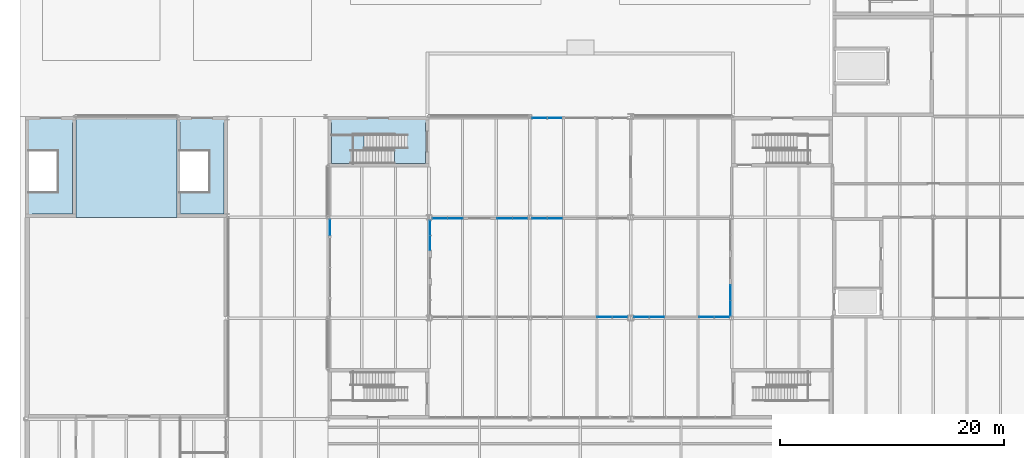
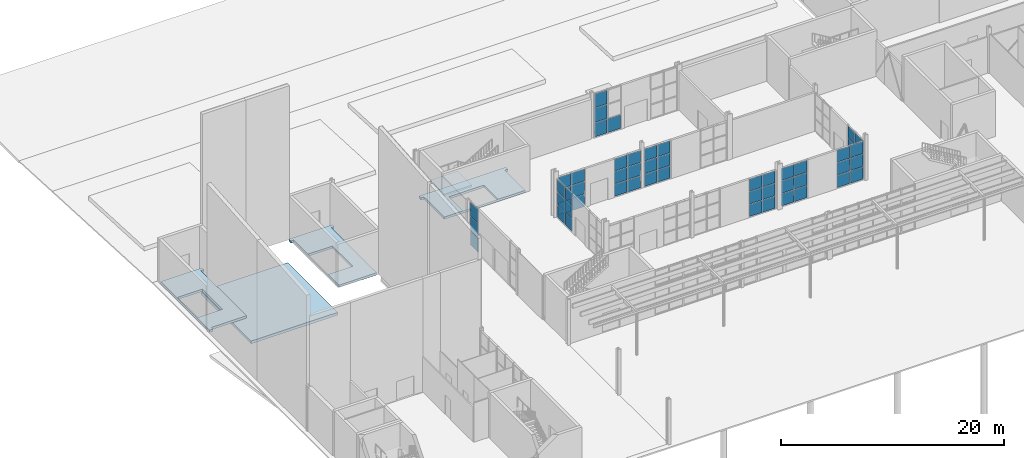
# One storey, part 31 of 63: 55 plates, 5 slabs, 11 elements without a shape of their own.
"""IFC4 building model written with IfcOpenShell, lengths in metres."""

from ifc_helpers import new_model, si_unit, direction, frame, origin, origin_2d, place, context, subcontext, project, spatial, polyline, rectangle, outline, extrude, material, layer, layer_set, type_object, element, aggregate, save


model = new_model("IFC4")

# Units and contexts
model_context = context("Model", 3, precision=1e-05, world=origin(), true_north=direction((0.0, 1.0)))
body_context = subcontext(model_context, "Body", "Model", "MODEL_VIEW")
ifc_project = project(units=[si_unit("LENGTHUNIT", "METRE"), si_unit("AREAUNIT", "SQUARE_METRE"), si_unit("VOLUMEUNIT", "CUBIC_METRE"), si_unit("PLANEANGLEUNIT", "RADIAN"), si_unit("MASSUNIT", "GRAM", prefix="KILO")], contexts=[model_context])

# Site, building, storey
site_placement = place(None, origin())
site = spatial("IfcSite", under=ifc_project, at=site_placement, CompositionType="ELEMENT")
building_placement = place(site_placement, origin())
building = spatial("IfcBuilding", under=site, at=building_placement, Name="Halyard Row Museum", CompositionType="ELEMENT")
storey_placement = place(building_placement, origin())
storey = spatial("IfcBuildingStorey", under=building, at=storey_placement, Name="L00", CompositionType="ELEMENT", Elevation=0.0)

# Slabs
ifc_material_1 = material(Name="Concrete 40 MPa", Category="concrete")
ifc_layer_1 = layer(ifc_material_1, 0.25)
ifc_layer_set_1 = layer_set([ifc_layer_1], Name="Concrete 40 MPa")
slab_type_1 = type_object("IfcSlabType", Name="Core floor slab 250", PredefinedType="FLOOR", material=ifc_layer_set_1)
slab_1_placement = place(storey_placement, frame((0.0, 0.0, -0.25)))
element("IfcSlab", 1, at=slab_1_placement, inside=storey, type_object=slab_type_1, Name="Core floor K1A L00", PredefinedType="FLOOR", context=body_context, shape_type="SweptSolid", body=[
    extrude(outline(polyline([(27.300048828125, 40.800048828125), (35.699951171875, 40.800048828125), (35.699951171875, 44.449951171875), (35.9951171875, 44.449951171875), (35.9951171875, 44.800048828125), (27.0048828125, 44.800048828125), (27.0048828125, 44.449951171875), (27.300048828125, 44.449951171875), (27.300048828125, 40.800048828125)]), holes=[polyline([(32.89697265625, 40.802978515625), (29.262939453125, 40.802978515625), (29.262939453125, 43.346923828125), (32.89697265625, 43.346923828125), (32.89697265625, 40.802978515625)])]), origin(), (0.0, 0.0, 1.0), 0.25),
])
slab_2_placement = place(storey_placement, frame((0.0, 0.0, -0.25)))
element("IfcSlab", 2, at=slab_2_placement, inside=storey, type_object=slab_type_1, Name="Core floor K3N L00", PredefinedType="FLOOR", context=body_context, shape_type="SweptSolid", body=[
    extrude(outline(polyline([(13.800048828125, 36.300048828125), (17.699951171875, 36.300048828125), (17.699951171875, 44.449951171875), (18.0, 44.449951171875), (18.0, 44.800048828125), (13.5, 44.800048828125), (13.5, 44.449951171875), (13.800048828125, 44.449951171875), (13.800048828125, 36.300048828125)]), holes=[polyline([(16.346923828125, 38.262939453125), (13.802978515625, 38.262939453125), (13.802978515625, 41.89697265625), (16.346923828125, 41.89697265625), (16.346923828125, 38.262939453125)])]), origin(), (0.0, 0.0, 1.0), 0.25),
])
slab_3_placement = place(storey_placement, frame((0.0, 0.0, -0.25)))
element("IfcSlab", 3, at=slab_3_placement, inside=storey, type_object=slab_type_1, Name="Core floor K3W L00", PredefinedType="FLOOR", context=body_context, shape_type="SweptSolid", body=[
    extrude(outline(polyline([(0.199951171875, 36.0), (0.550048828125, 36.0), (0.550048828125, 36.300048828125), (4.199951171875, 36.300048828125), (4.199951171875, 44.449951171875), (4.5, 44.449951171875), (4.5, 44.800048828125), (0.199951171875, 44.800048828125), (0.199951171875, 36.0)]), holes=[polyline([(2.846923828125, 38.262939453125), (0.302978515625, 38.262939453125), (0.302978515625, 41.89697265625), (2.846923828125, 41.89697265625), (2.846923828125, 38.262939453125)])]), origin(), (0.0, 0.0, 1.0), 0.25),
])

# Curtain wall, plates
ifc_material_2 = material(Name="Double glazed unit, low-emissivity", Category="glass")
ifc_layer_2 = layer(ifc_material_2, 0.199951171875)
ifc_layer_set_2 = layer_set([ifc_layer_2], Name="Double glazed unit, low-emissivity")
curtain_wall_type_1 = type_object("IfcCurtainWallType", Name="Curtain wall shopfront 200 deep", PredefinedType="NOTDEFINED", material=ifc_layer_set_2)
curtain_wall_1_placement = place(storey_placement, origin())
curtain_wall_1 = element("IfcCurtainWall", 4, at=curtain_wall_1_placement, inside=storey, type_object=curtain_wall_type_1, Name="Curtain wall CW010", PredefinedType="NOTDEFINED")
ifc_material_3 = material(Name="Double glazed unit, low-emissivity", Category="glass")
ifc_layer_3 = layer(ifc_material_3, 0.031982421875)
ifc_layer_set_3 = layer_set([ifc_layer_3], Name="Double glazed unit, low-emissivity")
plate_type_1 = type_object("IfcPlateType", Name="Curtain wall glazed panel CP1 32", PredefinedType="CURTAIN_PANEL", material=ifc_layer_set_3)
plate_1_placement = place(storey_placement, frame((47.233642578125, 44.85009765625, 0.06494140625), z_axis=(0.0, 0.0, 1.0), x_axis=(-1.0, 0.0, 0.0)))
plate_1 = element("IfcPlate", 5, at=plate_1_placement, type_object=plate_type_1, Name="CW010 panel 1.1", PredefinedType="CURTAIN_PANEL", context=body_context, shape_type="SweptSolid", body=[
    extrude(rectangle(XDim=1.302490234375, YDim=0.031982421875, at=origin_2d()), origin(), (0.0, 0.0, 1.0), 1.51416015625),
])
plate_2_placement = place(storey_placement, frame((45.8662109375, 44.85009765625, 0.06494140625), z_axis=(0.0, 0.0, 1.0), x_axis=(-1.0, 0.0, 0.0)))
plate_2 = element("IfcPlate", 6, at=plate_2_placement, type_object=plate_type_1, Name="CW010 panel 2.1", PredefinedType="CURTAIN_PANEL", context=body_context, shape_type="SweptSolid", body=[
    extrude(rectangle(XDim=1.302490234375, YDim=0.031982421875, at=origin_2d()), origin(), (0.0, 0.0, 1.0), 1.51416015625),
])
plate_3_placement = place(storey_placement, frame((45.8662109375, 44.85009765625, 1.64404296875), z_axis=(0.0, 0.0, 1.0), x_axis=(-1.0, 0.0, 0.0)))
plate_3 = element("IfcPlate", 7, at=plate_3_placement, type_object=plate_type_1, Name="CW010 panel 2.2", PredefinedType="CURTAIN_PANEL", context=body_context, shape_type="SweptSolid", body=[
    extrude(rectangle(XDim=1.302490234375, YDim=0.031982421875, at=origin_2d()), origin(), (0.0, 0.0, 1.0), 1.546630859375),
])
plate_4_placement = place(storey_placement, frame((45.8662109375, 44.85009765625, 3.255859375), z_axis=(0.0, 0.0, 1.0), x_axis=(-1.0, 0.0, 0.0)))
plate_4 = element("IfcPlate", 8, at=plate_4_placement, type_object=plate_type_1, Name="CW010 panel 2.3", PredefinedType="CURTAIN_PANEL", context=body_context, shape_type="SweptSolid", body=[
    extrude(rectangle(XDim=1.302490234375, YDim=0.031982421875, at=origin_2d()), origin(), (0.0, 0.0, 1.0), 1.51416015625),
])
aggregate(curtain_wall_1, [plate_1, plate_2, plate_3, plate_4])

curtain_wall_2_placement = place(storey_placement, origin())
curtain_wall_2 = element("IfcCurtainWall", 9, at=curtain_wall_2_placement, inside=storey, type_object=curtain_wall_type_1, Name="Curtain wall CW011", PredefinedType="NOTDEFINED")
plate_5_placement = place(storey_placement, frame((27.14990234375, 35.10009765625, 0.06494140625), z_axis=(0.0, 0.0, 1.0), x_axis=(0.0, -1.0, 0.0)))
plate_5 = element("IfcPlate", 10, at=plate_5_placement, type_object=plate_type_1, Name="CW011 panel 1.1", PredefinedType="CURTAIN_PANEL", context=body_context, shape_type="SweptSolid", body=[
    extrude(rectangle(XDim=1.3701171875, YDim=0.031982421875, at=origin_2d()), origin(), (0.0, 0.0, 1.0), 1.51416015625),
])
plate_6_placement = place(storey_placement, frame((27.14990234375, 35.10009765625, 1.64404296875), z_axis=(0.0, 0.0, 1.0), x_axis=(0.0, -1.0, 0.0)))
plate_6 = element("IfcPlate", 11, at=plate_6_placement, type_object=plate_type_1, Name="CW011 panel 1.2", PredefinedType="CURTAIN_PANEL", context=body_context, shape_type="SweptSolid", body=[
    extrude(rectangle(XDim=1.3701171875, YDim=0.031982421875, at=origin_2d()), origin(), (0.0, 0.0, 1.0), 1.546630859375),
])
plate_7_placement = place(storey_placement, frame((27.14990234375, 35.10009765625, 3.255859375), z_axis=(0.0, 0.0, 1.0), x_axis=(0.0, -1.0, 0.0)))
plate_7 = element("IfcPlate", 12, at=plate_7_placement, type_object=plate_type_1, Name="CW011 panel 1.3", PredefinedType="CURTAIN_PANEL", context=body_context, shape_type="SweptSolid", body=[
    extrude(rectangle(XDim=1.3701171875, YDim=0.031982421875, at=origin_2d()), origin(), (0.0, 0.0, 1.0), 1.51416015625),
])
aggregate(curtain_wall_2, [plate_5, plate_6, plate_7])

ifc_material_4 = material(Name="Double glazed unit, low-emissivity", Category="glass")
ifc_layer_4 = layer(ifc_material_4, 0.179931640625)
ifc_layer_set_4 = layer_set([ifc_layer_4], Name="Double glazed unit, low-emissivity")
curtain_wall_type_2 = type_object("IfcCurtainWallType", Name="Curtain wall stick 180 deep", PredefinedType="NOTDEFINED", material=ifc_layer_set_4)
curtain_wall_3_placement = place(storey_placement, origin())
curtain_wall_3 = element("IfcCurtainWall", 13, at=curtain_wall_3_placement, inside=storey, type_object=curtain_wall_type_2, Name="Curtain wall CW123", PredefinedType="NOTDEFINED")
ifc_material_5 = material(Name="Double glazed unit, low-emissivity", Category="glass")
ifc_layer_5 = layer(ifc_material_5, 0.028076171875)
ifc_layer_set_5 = layer_set([ifc_layer_5], Name="Double glazed unit, low-emissivity")
plate_type_2 = type_object("IfcPlateType", Name="Curtain wall glazed panel CP2 28", PredefinedType="CURTAIN_PANEL", material=ifc_layer_set_5)
plate_8_placement = place(storey_placement, frame((51.666748046875, 27.10009765625, 0.06005859375), z_axis=(0.0, 0.0, 1.0), x_axis=(1.0, 0.0, 0.0)))
plate_8 = element("IfcPlate", 14, at=plate_8_placement, type_object=plate_type_2, Name="CW123 panel 1.1", PredefinedType="CURTAIN_PANEL", context=body_context, shape_type="SweptSolid", body=[
    extrude(rectangle(XDim=1.308837890625, YDim=0.028076171875, at=origin_2d()), origin(), (0.0, 0.0, 1.0), 1.3193359375),
])
plate_9_placement = place(storey_placement, frame((51.666748046875, 27.10009765625, 1.439453125), z_axis=(0.0, 0.0, 1.0), x_axis=(1.0, 0.0, 0.0)))
plate_9 = element("IfcPlate", 15, at=plate_9_placement, type_object=plate_type_2, Name="CW123 panel 1.2", PredefinedType="CURTAIN_PANEL", context=body_context, shape_type="SweptSolid", body=[
    extrude(rectangle(XDim=1.308837890625, YDim=0.028076171875, at=origin_2d()), origin(), (0.0, 0.0, 1.0), 1.349365234375),
])
plate_10_placement = place(storey_placement, frame((51.666748046875, 27.10009765625, 2.8486328125), z_axis=(0.0, 0.0, 1.0), x_axis=(1.0, 0.0, 0.0)))
plate_10 = element("IfcPlate", 16, at=plate_10_placement, type_object=plate_type_2, Name="CW123 panel 1.3", PredefinedType="CURTAIN_PANEL", context=body_context, shape_type="SweptSolid", body=[
    extrude(rectangle(XDim=1.308837890625, YDim=0.028076171875, at=origin_2d()), origin(), (0.0, 0.0, 1.0), 1.3193359375),
])
plate_11_placement = place(storey_placement, frame((53.03564453125, 27.10009765625, 0.06005859375), z_axis=(0.0, 0.0, 1.0), x_axis=(1.0, 0.0, 0.0)))
plate_11 = element("IfcPlate", 17, at=plate_11_placement, type_object=plate_type_2, Name="CW123 panel 2.1", PredefinedType="CURTAIN_PANEL", context=body_context, shape_type="SweptSolid", body=[
    extrude(rectangle(XDim=1.308837890625, YDim=0.028076171875, at=origin_2d()), origin(), (0.0, 0.0, 1.0), 1.3193359375),
])
plate_12_placement = place(storey_placement, frame((53.03564453125, 27.10009765625, 1.439453125), z_axis=(0.0, 0.0, 1.0), x_axis=(1.0, 0.0, 0.0)))
plate_12 = element("IfcPlate", 18, at=plate_12_placement, type_object=plate_type_2, Name="CW123 panel 2.2", PredefinedType="CURTAIN_PANEL", context=body_context, shape_type="SweptSolid", body=[
    extrude(rectangle(XDim=1.308837890625, YDim=0.028076171875, at=origin_2d()), origin(), (0.0, 0.0, 1.0), 1.349365234375),
])
plate_13_placement = place(storey_placement, frame((53.03564453125, 27.10009765625, 2.8486328125), z_axis=(0.0, 0.0, 1.0), x_axis=(1.0, 0.0, 0.0)))
plate_13 = element("IfcPlate", 19, at=plate_13_placement, type_object=plate_type_2, Name="CW123 panel 2.3", PredefinedType="CURTAIN_PANEL", context=body_context, shape_type="SweptSolid", body=[
    extrude(rectangle(XDim=1.308837890625, YDim=0.028076171875, at=origin_2d()), origin(), (0.0, 0.0, 1.0), 1.3193359375),
])
aggregate(curtain_wall_3, [plate_8, plate_9, plate_10, plate_11, plate_12, plate_13])

curtain_wall_4_placement = place(storey_placement, origin())
curtain_wall_4 = element("IfcCurtainWall", 20, at=curtain_wall_4_placement, inside=storey, type_object=curtain_wall_type_2, Name="Curtain wall CW124", PredefinedType="NOTDEFINED")
plate_14_placement = place(storey_placement, frame((54.96435546875, 27.10009765625, 0.06005859375), z_axis=(0.0, 0.0, 1.0), x_axis=(1.0, 0.0, 0.0)))
plate_14 = element("IfcPlate", 21, at=plate_14_placement, type_object=plate_type_2, Name="CW124 panel 1.1", PredefinedType="CURTAIN_PANEL", context=body_context, shape_type="SweptSolid", body=[
    extrude(rectangle(XDim=1.30859375, YDim=0.028076171875, at=origin_2d()), origin(), (0.0, 0.0, 1.0), 1.3193359375),
])
plate_15_placement = place(storey_placement, frame((54.96435546875, 27.10009765625, 1.439453125), z_axis=(0.0, 0.0, 1.0), x_axis=(1.0, 0.0, 0.0)))
plate_15 = element("IfcPlate", 22, at=plate_15_placement, type_object=plate_type_2, Name="CW124 panel 1.2", PredefinedType="CURTAIN_PANEL", context=body_context, shape_type="SweptSolid", body=[
    extrude(rectangle(XDim=1.30859375, YDim=0.028076171875, at=origin_2d()), origin(), (0.0, 0.0, 1.0), 1.349365234375),
])
plate_16_placement = place(storey_placement, frame((54.96435546875, 27.10009765625, 2.8486328125), z_axis=(0.0, 0.0, 1.0), x_axis=(1.0, 0.0, 0.0)))
plate_16 = element("IfcPlate", 23, at=plate_16_placement, type_object=plate_type_2, Name="CW124 panel 1.3", PredefinedType="CURTAIN_PANEL", context=body_context, shape_type="SweptSolid", body=[
    extrude(rectangle(XDim=1.30859375, YDim=0.028076171875, at=origin_2d()), origin(), (0.0, 0.0, 1.0), 1.3193359375),
])
plate_17_placement = place(storey_placement, frame((56.3330078125, 27.10009765625, 0.06005859375), z_axis=(0.0, 0.0, 1.0), x_axis=(1.0, 0.0, 0.0)))
plate_17 = element("IfcPlate", 24, at=plate_17_placement, type_object=plate_type_2, Name="CW124 panel 2.1", PredefinedType="CURTAIN_PANEL", context=body_context, shape_type="SweptSolid", body=[
    extrude(rectangle(XDim=1.30859375, YDim=0.028076171875, at=origin_2d()), origin(), (0.0, 0.0, 1.0), 1.3193359375),
])
plate_18_placement = place(storey_placement, frame((56.3330078125, 27.10009765625, 1.439453125), z_axis=(0.0, 0.0, 1.0), x_axis=(1.0, 0.0, 0.0)))
plate_18 = element("IfcPlate", 25, at=plate_18_placement, type_object=plate_type_2, Name="CW124 panel 2.2", PredefinedType="CURTAIN_PANEL", context=body_context, shape_type="SweptSolid", body=[
    extrude(rectangle(XDim=1.30859375, YDim=0.028076171875, at=origin_2d()), origin(), (0.0, 0.0, 1.0), 1.349365234375),
])
plate_19_placement = place(storey_placement, frame((56.3330078125, 27.10009765625, 2.8486328125), z_axis=(0.0, 0.0, 1.0), x_axis=(1.0, 0.0, 0.0)))
plate_19 = element("IfcPlate", 26, at=plate_19_placement, type_object=plate_type_2, Name="CW124 panel 2.3", PredefinedType="CURTAIN_PANEL", context=body_context, shape_type="SweptSolid", body=[
    extrude(rectangle(XDim=1.30859375, YDim=0.028076171875, at=origin_2d()), origin(), (0.0, 0.0, 1.0), 1.3193359375),
])
aggregate(curtain_wall_4, [plate_14, plate_15, plate_16, plate_17, plate_18, plate_19])

curtain_wall_5_placement = place(storey_placement, origin())
curtain_wall_5 = element("IfcCurtainWall", 27, at=curtain_wall_5_placement, inside=storey, type_object=curtain_wall_type_2, Name="Curtain wall CW125", PredefinedType="NOTDEFINED")
plate_20_placement = place(storey_placement, frame((60.761474609375, 27.10009765625, 0.06005859375), z_axis=(0.0, 0.0, 1.0), x_axis=(1.0, 0.0, 0.0)))
plate_20 = element("IfcPlate", 28, at=plate_20_placement, type_object=plate_type_2, Name="CW125 panel 1.1", PredefinedType="CURTAIN_PANEL", context=body_context, shape_type="SweptSolid", body=[
    extrude(rectangle(XDim=1.30859375, YDim=0.028076171875, at=origin_2d()), origin(), (0.0, 0.0, 1.0), 1.3193359375),
])
plate_21_placement = place(storey_placement, frame((60.761474609375, 27.10009765625, 1.439453125), z_axis=(0.0, 0.0, 1.0), x_axis=(1.0, 0.0, 0.0)))
plate_21 = element("IfcPlate", 29, at=plate_21_placement, type_object=plate_type_2, Name="CW125 panel 1.2", PredefinedType="CURTAIN_PANEL", context=body_context, shape_type="SweptSolid", body=[
    extrude(rectangle(XDim=1.30859375, YDim=0.028076171875, at=origin_2d()), origin(), (0.0, 0.0, 1.0), 1.349365234375),
])
plate_22_placement = place(storey_placement, frame((60.761474609375, 27.10009765625, 2.8486328125), z_axis=(0.0, 0.0, 1.0), x_axis=(1.0, 0.0, 0.0)))
plate_22 = element("IfcPlate", 30, at=plate_22_placement, type_object=plate_type_2, Name="CW125 panel 1.3", PredefinedType="CURTAIN_PANEL", context=body_context, shape_type="SweptSolid", body=[
    extrude(rectangle(XDim=1.30859375, YDim=0.028076171875, at=origin_2d()), origin(), (0.0, 0.0, 1.0), 1.3193359375),
])
plate_23_placement = place(storey_placement, frame((62.130126953125, 27.10009765625, 0.06005859375), z_axis=(0.0, 0.0, 1.0), x_axis=(1.0, 0.0, 0.0)))
plate_23 = element("IfcPlate", 31, at=plate_23_placement, type_object=plate_type_2, Name="CW125 panel 2.1", PredefinedType="CURTAIN_PANEL", context=body_context, shape_type="SweptSolid", body=[
    extrude(rectangle(XDim=1.30859375, YDim=0.028076171875, at=origin_2d()), origin(), (0.0, 0.0, 1.0), 1.3193359375),
])
plate_24_placement = place(storey_placement, frame((62.130126953125, 27.10009765625, 1.439453125), z_axis=(0.0, 0.0, 1.0), x_axis=(1.0, 0.0, 0.0)))
plate_24 = element("IfcPlate", 32, at=plate_24_placement, type_object=plate_type_2, Name="CW125 panel 2.2", PredefinedType="CURTAIN_PANEL", context=body_context, shape_type="SweptSolid", body=[
    extrude(rectangle(XDim=1.30859375, YDim=0.028076171875, at=origin_2d()), origin(), (0.0, 0.0, 1.0), 1.349365234375),
])
plate_25_placement = place(storey_placement, frame((62.130126953125, 27.10009765625, 2.8486328125), z_axis=(0.0, 0.0, 1.0), x_axis=(1.0, 0.0, 0.0)))
plate_25 = element("IfcPlate", 33, at=plate_25_placement, type_object=plate_type_2, Name="CW125 panel 2.3", PredefinedType="CURTAIN_PANEL", context=body_context, shape_type="SweptSolid", body=[
    extrude(rectangle(XDim=1.30859375, YDim=0.028076171875, at=origin_2d()), origin(), (0.0, 0.0, 1.0), 1.3193359375),
])
aggregate(curtain_wall_5, [plate_20, plate_21, plate_22, plate_23, plate_24, plate_25])

curtain_wall_6_placement = place(storey_placement, origin())
curtain_wall_6 = element("IfcCurtainWall", 34, at=curtain_wall_6_placement, inside=storey, type_object=curtain_wall_type_2, Name="Curtain wall CW127", PredefinedType="NOTDEFINED")
plate_26_placement = place(storey_placement, frame((36.10009765625, 33.705078125, 0.06005859375), z_axis=(0.0, 0.0, 1.0), x_axis=(0.0, 1.0, 0.0)))
plate_26 = element("IfcPlate", 35, at=plate_26_placement, type_object=plate_type_2, Name="CW127 panel 1.1", PredefinedType="CURTAIN_PANEL", context=body_context, shape_type="SweptSolid", body=[
    extrude(rectangle(XDim=1.2900390625, YDim=0.028076171875, at=origin_2d()), origin(), (0.0, 0.0, 1.0), 1.3193359375),
])
plate_27_placement = place(storey_placement, frame((36.10009765625, 33.705078125, 1.439453125), z_axis=(0.0, 0.0, 1.0), x_axis=(0.0, 1.0, 0.0)))
plate_27 = element("IfcPlate", 36, at=plate_27_placement, type_object=plate_type_2, Name="CW127 panel 1.2", PredefinedType="CURTAIN_PANEL", context=body_context, shape_type="SweptSolid", body=[
    extrude(rectangle(XDim=1.2900390625, YDim=0.028076171875, at=origin_2d()), origin(), (0.0, 0.0, 1.0), 1.349365234375),
])
plate_28_placement = place(storey_placement, frame((36.10009765625, 33.705078125, 2.8486328125), z_axis=(0.0, 0.0, 1.0), x_axis=(0.0, 1.0, 0.0)))
plate_28 = element("IfcPlate", 37, at=plate_28_placement, type_object=plate_type_2, Name="CW127 panel 1.3", PredefinedType="CURTAIN_PANEL", context=body_context, shape_type="SweptSolid", body=[
    extrude(rectangle(XDim=1.2900390625, YDim=0.028076171875, at=origin_2d()), origin(), (0.0, 0.0, 1.0), 1.3193359375),
])
plate_29_placement = place(storey_placement, frame((36.10009765625, 35.054931640625, 0.06005859375), z_axis=(0.0, 0.0, 1.0), x_axis=(0.0, 1.0, 0.0)))
plate_29 = element("IfcPlate", 38, at=plate_29_placement, type_object=plate_type_2, Name="CW127 panel 2.1", PredefinedType="CURTAIN_PANEL", context=body_context, shape_type="SweptSolid", body=[
    extrude(rectangle(XDim=1.2900390625, YDim=0.028076171875, at=origin_2d()), origin(), (0.0, 0.0, 1.0), 1.3193359375),
])
plate_30_placement = place(storey_placement, frame((36.10009765625, 35.054931640625, 1.439453125), z_axis=(0.0, 0.0, 1.0), x_axis=(0.0, 1.0, 0.0)))
plate_30 = element("IfcPlate", 39, at=plate_30_placement, type_object=plate_type_2, Name="CW127 panel 2.2", PredefinedType="CURTAIN_PANEL", context=body_context, shape_type="SweptSolid", body=[
    extrude(rectangle(XDim=1.2900390625, YDim=0.028076171875, at=origin_2d()), origin(), (0.0, 0.0, 1.0), 1.349365234375),
])
plate_31_placement = place(storey_placement, frame((36.10009765625, 35.054931640625, 2.8486328125), z_axis=(0.0, 0.0, 1.0), x_axis=(0.0, 1.0, 0.0)))
plate_31 = element("IfcPlate", 40, at=plate_31_placement, type_object=plate_type_2, Name="CW127 panel 2.3", PredefinedType="CURTAIN_PANEL", context=body_context, shape_type="SweptSolid", body=[
    extrude(rectangle(XDim=1.2900390625, YDim=0.028076171875, at=origin_2d()), origin(), (0.0, 0.0, 1.0), 1.3193359375),
])
aggregate(curtain_wall_6, [plate_26, plate_27, plate_28, plate_29, plate_30, plate_31])

curtain_wall_7_placement = place(storey_placement, origin())
curtain_wall_7 = element("IfcCurtainWall", 41, at=curtain_wall_7_placement, inside=storey, type_object=curtain_wall_type_2, Name="Curtain wall CW130", PredefinedType="NOTDEFINED")
plate_32_placement = place(storey_placement, frame((36.96435546875, 35.89990234375, 0.06005859375), z_axis=(0.0, 0.0, 1.0), x_axis=(1.0, 0.0, 0.0)))
plate_32 = element("IfcPlate", 42, at=plate_32_placement, type_object=plate_type_2, Name="CW130 panel 1.1", PredefinedType="CURTAIN_PANEL", context=body_context, shape_type="SweptSolid", body=[
    extrude(rectangle(XDim=1.308837890625, YDim=0.028076171875, at=origin_2d()), origin(), (0.0, 0.0, 1.0), 1.3193359375),
])
plate_33_placement = place(storey_placement, frame((36.96435546875, 35.89990234375, 1.439453125), z_axis=(0.0, 0.0, 1.0), x_axis=(1.0, 0.0, 0.0)))
plate_33 = element("IfcPlate", 43, at=plate_33_placement, type_object=plate_type_2, Name="CW130 panel 1.2", PredefinedType="CURTAIN_PANEL", context=body_context, shape_type="SweptSolid", body=[
    extrude(rectangle(XDim=1.308837890625, YDim=0.028076171875, at=origin_2d()), origin(), (0.0, 0.0, 1.0), 1.349365234375),
])
plate_34_placement = place(storey_placement, frame((36.96435546875, 35.89990234375, 2.8486328125), z_axis=(0.0, 0.0, 1.0), x_axis=(1.0, 0.0, 0.0)))
plate_34 = element("IfcPlate", 44, at=plate_34_placement, type_object=plate_type_2, Name="CW130 panel 1.3", PredefinedType="CURTAIN_PANEL", context=body_context, shape_type="SweptSolid", body=[
    extrude(rectangle(XDim=1.308837890625, YDim=0.028076171875, at=origin_2d()), origin(), (0.0, 0.0, 1.0), 1.3193359375),
])
plate_35_placement = place(storey_placement, frame((38.333251953125, 35.89990234375, 0.06005859375), z_axis=(0.0, 0.0, 1.0), x_axis=(1.0, 0.0, 0.0)))
plate_35 = element("IfcPlate", 45, at=plate_35_placement, type_object=plate_type_2, Name="CW130 panel 2.1", PredefinedType="CURTAIN_PANEL", context=body_context, shape_type="SweptSolid", body=[
    extrude(rectangle(XDim=1.308837890625, YDim=0.028076171875, at=origin_2d()), origin(), (0.0, 0.0, 1.0), 1.3193359375),
])
plate_36_placement = place(storey_placement, frame((38.333251953125, 35.89990234375, 1.439453125), z_axis=(0.0, 0.0, 1.0), x_axis=(1.0, 0.0, 0.0)))
plate_36 = element("IfcPlate", 46, at=plate_36_placement, type_object=plate_type_2, Name="CW130 panel 2.2", PredefinedType="CURTAIN_PANEL", context=body_context, shape_type="SweptSolid", body=[
    extrude(rectangle(XDim=1.308837890625, YDim=0.028076171875, at=origin_2d()), origin(), (0.0, 0.0, 1.0), 1.349365234375),
])
plate_37_placement = place(storey_placement, frame((38.333251953125, 35.89990234375, 2.8486328125), z_axis=(0.0, 0.0, 1.0), x_axis=(1.0, 0.0, 0.0)))
plate_37 = element("IfcPlate", 47, at=plate_37_placement, type_object=plate_type_2, Name="CW130 panel 2.3", PredefinedType="CURTAIN_PANEL", context=body_context, shape_type="SweptSolid", body=[
    extrude(rectangle(XDim=1.308837890625, YDim=0.028076171875, at=origin_2d()), origin(), (0.0, 0.0, 1.0), 1.3193359375),
])
aggregate(curtain_wall_7, [plate_32, plate_33, plate_34, plate_35, plate_36, plate_37])

curtain_wall_8_placement = place(storey_placement, origin())
curtain_wall_8 = element("IfcCurtainWall", 48, at=curtain_wall_8_placement, inside=storey, type_object=curtain_wall_type_2, Name="Curtain wall CW131", PredefinedType="NOTDEFINED")
plate_38_placement = place(storey_placement, frame((42.76220703125, 35.89990234375, 0.06005859375), z_axis=(0.0, 0.0, 1.0), x_axis=(1.0, 0.0, 0.0)))
plate_38 = element("IfcPlate", 49, at=plate_38_placement, type_object=plate_type_2, Name="CW131 panel 1.1", PredefinedType="CURTAIN_PANEL", context=body_context, shape_type="SweptSolid", body=[
    extrude(rectangle(XDim=1.308837890625, YDim=0.028076171875, at=origin_2d()), origin(), (0.0, 0.0, 1.0), 1.3193359375),
])
plate_39_placement = place(storey_placement, frame((42.76220703125, 35.89990234375, 1.439453125), z_axis=(0.0, 0.0, 1.0), x_axis=(1.0, 0.0, 0.0)))
plate_39 = element("IfcPlate", 50, at=plate_39_placement, type_object=plate_type_2, Name="CW131 panel 1.2", PredefinedType="CURTAIN_PANEL", context=body_context, shape_type="SweptSolid", body=[
    extrude(rectangle(XDim=1.308837890625, YDim=0.028076171875, at=origin_2d()), origin(), (0.0, 0.0, 1.0), 1.349365234375),
])
plate_40_placement = place(storey_placement, frame((42.76220703125, 35.89990234375, 2.8486328125), z_axis=(0.0, 0.0, 1.0), x_axis=(1.0, 0.0, 0.0)))
plate_40 = element("IfcPlate", 51, at=plate_40_placement, type_object=plate_type_2, Name="CW131 panel 1.3", PredefinedType="CURTAIN_PANEL", context=body_context, shape_type="SweptSolid", body=[
    extrude(rectangle(XDim=1.308837890625, YDim=0.028076171875, at=origin_2d()), origin(), (0.0, 0.0, 1.0), 1.3193359375),
])
plate_41_placement = place(storey_placement, frame((44.131103515625, 35.89990234375, 0.06005859375), z_axis=(0.0, 0.0, 1.0), x_axis=(1.0, 0.0, 0.0)))
plate_41 = element("IfcPlate", 52, at=plate_41_placement, type_object=plate_type_2, Name="CW131 panel 2.1", PredefinedType="CURTAIN_PANEL", context=body_context, shape_type="SweptSolid", body=[
    extrude(rectangle(XDim=1.308837890625, YDim=0.028076171875, at=origin_2d()), origin(), (0.0, 0.0, 1.0), 1.3193359375),
])
plate_42_placement = place(storey_placement, frame((44.131103515625, 35.89990234375, 1.439453125), z_axis=(0.0, 0.0, 1.0), x_axis=(1.0, 0.0, 0.0)))
plate_42 = element("IfcPlate", 53, at=plate_42_placement, type_object=plate_type_2, Name="CW131 panel 2.2", PredefinedType="CURTAIN_PANEL", context=body_context, shape_type="SweptSolid", body=[
    extrude(rectangle(XDim=1.308837890625, YDim=0.028076171875, at=origin_2d()), origin(), (0.0, 0.0, 1.0), 1.349365234375),
])
plate_43_placement = place(storey_placement, frame((44.131103515625, 35.89990234375, 2.8486328125), z_axis=(0.0, 0.0, 1.0), x_axis=(1.0, 0.0, 0.0)))
plate_43 = element("IfcPlate", 54, at=plate_43_placement, type_object=plate_type_2, Name="CW131 panel 2.3", PredefinedType="CURTAIN_PANEL", context=body_context, shape_type="SweptSolid", body=[
    extrude(rectangle(XDim=1.308837890625, YDim=0.028076171875, at=origin_2d()), origin(), (0.0, 0.0, 1.0), 1.3193359375),
])
aggregate(curtain_wall_8, [plate_38, plate_39, plate_40, plate_41, plate_42, plate_43])

curtain_wall_9_placement = place(storey_placement, origin())
curtain_wall_9 = element("IfcCurtainWall", 55, at=curtain_wall_9_placement, inside=storey, type_object=curtain_wall_type_2, Name="Curtain wall CW132", PredefinedType="NOTDEFINED")
plate_44_placement = place(storey_placement, frame((45.868896484375, 35.89990234375, 0.06005859375), z_axis=(0.0, 0.0, 1.0), x_axis=(1.0, 0.0, 0.0)))
plate_44 = element("IfcPlate", 56, at=plate_44_placement, type_object=plate_type_2, Name="CW132 panel 1.1", PredefinedType="CURTAIN_PANEL", context=body_context, shape_type="SweptSolid", body=[
    extrude(rectangle(XDim=1.308837890625, YDim=0.028076171875, at=origin_2d()), origin(), (0.0, 0.0, 1.0), 1.3193359375),
])
plate_45_placement = place(storey_placement, frame((45.868896484375, 35.89990234375, 1.439453125), z_axis=(0.0, 0.0, 1.0), x_axis=(1.0, 0.0, 0.0)))
plate_45 = element("IfcPlate", 57, at=plate_45_placement, type_object=plate_type_2, Name="CW132 panel 1.2", PredefinedType="CURTAIN_PANEL", context=body_context, shape_type="SweptSolid", body=[
    extrude(rectangle(XDim=1.308837890625, YDim=0.028076171875, at=origin_2d()), origin(), (0.0, 0.0, 1.0), 1.349365234375),
])
plate_46_placement = place(storey_placement, frame((45.868896484375, 35.89990234375, 2.8486328125), z_axis=(0.0, 0.0, 1.0), x_axis=(1.0, 0.0, 0.0)))
plate_46 = element("IfcPlate", 58, at=plate_46_placement, type_object=plate_type_2, Name="CW132 panel 1.3", PredefinedType="CURTAIN_PANEL", context=body_context, shape_type="SweptSolid", body=[
    extrude(rectangle(XDim=1.308837890625, YDim=0.028076171875, at=origin_2d()), origin(), (0.0, 0.0, 1.0), 1.3193359375),
])
plate_47_placement = place(storey_placement, frame((47.23779296875, 35.89990234375, 0.06005859375), z_axis=(0.0, 0.0, 1.0), x_axis=(1.0, 0.0, 0.0)))
plate_47 = element("IfcPlate", 59, at=plate_47_placement, type_object=plate_type_2, Name="CW132 panel 2.1", PredefinedType="CURTAIN_PANEL", context=body_context, shape_type="SweptSolid", body=[
    extrude(rectangle(XDim=1.308837890625, YDim=0.028076171875, at=origin_2d()), origin(), (0.0, 0.0, 1.0), 1.3193359375),
])
plate_48_placement = place(storey_placement, frame((47.23779296875, 35.89990234375, 1.439453125), z_axis=(0.0, 0.0, 1.0), x_axis=(1.0, 0.0, 0.0)))
plate_48 = element("IfcPlate", 60, at=plate_48_placement, type_object=plate_type_2, Name="CW132 panel 2.2", PredefinedType="CURTAIN_PANEL", context=body_context, shape_type="SweptSolid", body=[
    extrude(rectangle(XDim=1.308837890625, YDim=0.028076171875, at=origin_2d()), origin(), (0.0, 0.0, 1.0), 1.349365234375),
])
plate_49_placement = place(storey_placement, frame((47.23779296875, 35.89990234375, 2.8486328125), z_axis=(0.0, 0.0, 1.0), x_axis=(1.0, 0.0, 0.0)))
plate_49 = element("IfcPlate", 61, at=plate_49_placement, type_object=plate_type_2, Name="CW132 panel 2.3", PredefinedType="CURTAIN_PANEL", context=body_context, shape_type="SweptSolid", body=[
    extrude(rectangle(XDim=1.308837890625, YDim=0.028076171875, at=origin_2d()), origin(), (0.0, 0.0, 1.0), 1.3193359375),
])
aggregate(curtain_wall_9, [plate_44, plate_45, plate_46, plate_47, plate_48, plate_49])

ifc_material_6 = material(Name="Fire-resisting laminated glazing", Category="glass")
ifc_layer_6 = layer(ifc_material_6, 0.159912109375)
ifc_layer_set_6 = layer_set([ifc_layer_6], Name="Fire-resisting laminated glazing")
curtain_wall_type_3 = type_object("IfcCurtainWallType", Name="Curtain wall atrium screen 160 deep", PredefinedType="NOTDEFINED", material=ifc_layer_set_6)
curtain_wall_10_placement = place(storey_placement, origin())
curtain_wall_10 = element("IfcCurtainWall", 62, at=curtain_wall_10_placement, inside=storey, type_object=curtain_wall_type_3, Name="Curtain wall CW128", PredefinedType="NOTDEFINED")
ifc_material_7 = material(Name="Fire-resisting laminated glazing", Category="glass")
ifc_layer_7 = layer(ifc_material_7, 0.0400390625)
ifc_layer_set_7 = layer_set([ifc_layer_7], Name="Fire-resisting laminated glazing")
plate_type_3 = type_object("IfcPlateType", Name="Curtain wall glazed panel CP5 40", PredefinedType="CURTAIN_PANEL", material=ifc_layer_set_7)
plate_50_placement = place(storey_placement, frame((62.89990234375, 27.8876953125, 0.06005859375), z_axis=(0.0, 0.0, 1.0), x_axis=(0.0, 1.0, 0.0)))
plate_50 = element("IfcPlate", 63, at=plate_50_placement, type_object=plate_type_3, Name="CW128 panel 1.1", PredefinedType="CURTAIN_PANEL", context=body_context, shape_type="SweptSolid", body=[
    extrude(rectangle(XDim=1.328125, YDim=0.0400390625, at=origin_2d()), origin(), (0.0, 0.0, 1.0), 1.3193359375),
])
plate_51_placement = place(storey_placement, frame((62.89990234375, 27.8876953125, 1.439453125), z_axis=(0.0, 0.0, 1.0), x_axis=(0.0, 1.0, 0.0)))
plate_51 = element("IfcPlate", 64, at=plate_51_placement, type_object=plate_type_3, Name="CW128 panel 1.2", PredefinedType="CURTAIN_PANEL", context=body_context, shape_type="SweptSolid", body=[
    extrude(rectangle(XDim=1.328125, YDim=0.0400390625, at=origin_2d()), origin(), (0.0, 0.0, 1.0), 1.349365234375),
])
plate_52_placement = place(storey_placement, frame((62.89990234375, 27.8876953125, 2.8486328125), z_axis=(0.0, 0.0, 1.0), x_axis=(0.0, 1.0, 0.0)))
plate_52 = element("IfcPlate", 65, at=plate_52_placement, type_object=plate_type_3, Name="CW128 panel 1.3", PredefinedType="CURTAIN_PANEL", context=body_context, shape_type="SweptSolid", body=[
    extrude(rectangle(XDim=1.328125, YDim=0.0400390625, at=origin_2d()), origin(), (0.0, 0.0, 1.0), 1.3193359375),
])
plate_53_placement = place(storey_placement, frame((62.89990234375, 29.27587890625, 0.06005859375), z_axis=(0.0, 0.0, 1.0), x_axis=(0.0, 1.0, 0.0)))
plate_53 = element("IfcPlate", 66, at=plate_53_placement, type_object=plate_type_3, Name="CW128 panel 2.1", PredefinedType="CURTAIN_PANEL", context=body_context, shape_type="SweptSolid", body=[
    extrude(rectangle(XDim=1.328125, YDim=0.0400390625, at=origin_2d()), origin(), (0.0, 0.0, 1.0), 1.3193359375),
])
plate_54_placement = place(storey_placement, frame((62.89990234375, 29.27587890625, 1.439453125), z_axis=(0.0, 0.0, 1.0), x_axis=(0.0, 1.0, 0.0)))
plate_54 = element("IfcPlate", 67, at=plate_54_placement, type_object=plate_type_3, Name="CW128 panel 2.2", PredefinedType="CURTAIN_PANEL", context=body_context, shape_type="SweptSolid", body=[
    extrude(rectangle(XDim=1.328125, YDim=0.0400390625, at=origin_2d()), origin(), (0.0, 0.0, 1.0), 1.349365234375),
])
plate_55_placement = place(storey_placement, frame((62.89990234375, 29.27587890625, 2.8486328125), z_axis=(0.0, 0.0, 1.0), x_axis=(0.0, 1.0, 0.0)))
plate_55 = element("IfcPlate", 68, at=plate_55_placement, type_object=plate_type_3, Name="CW128 panel 2.3", PredefinedType="CURTAIN_PANEL", context=body_context, shape_type="SweptSolid", body=[
    extrude(rectangle(XDim=1.328125, YDim=0.0400390625, at=origin_2d()), origin(), (0.0, 0.0, 1.0), 1.3193359375),
])
aggregate(curtain_wall_10, [plate_50, plate_51, plate_52, plate_53, plate_54, plate_55])

# Stair, slab
ifc_material_8 = material(Name="Concrete 40 MPa", Category="concrete")
stair_type = type_object("IfcStairType", Name="Exit stair two flights 1200", PredefinedType="HALF_TURN_STAIR", material=ifc_material_8)
stair_placement = place(storey_placement, origin())
stair = element("IfcStair", 69, at=stair_placement, inside=storey, type_object=stair_type, Name="Exit stair K1A L00", PredefinedType="HALF_TURN_STAIR")
ifc_material_9 = material(Name="Concrete 40 MPa", Category="concrete")
ifc_layer_8 = layer(ifc_material_9, 0.199951171875)
ifc_layer_set_8 = layer_set([ifc_layer_8], Name="Concrete 40 MPa")
slab_type_2 = type_object("IfcSlabType", Name="Exit stair landing 200", PredefinedType="LANDING", material=ifc_layer_set_8)
slab_4_placement = place(storey_placement, frame((0.0, 0.0, 2.300048828125)))
slab_4 = element("IfcSlab", 70, at=slab_4_placement, type_object=slab_type_2, Name="STK1A-L00 landing 1", PredefinedType="LANDING", context=body_context, shape_type="SweptSolid", body=[
    extrude(outline(polyline([(30.179931640625, 43.35009765625), (30.179931640625, 40.800048828125), (27.300048828125, 40.800048828125), (27.300048828125, 43.35009765625), (30.179931640625, 43.35009765625)])), origin(), (0.0, 0.0, 1.0), 0.199951171875),
])
aggregate(stair, [slab_4])

# Slab
ifc_material_10 = material(Name="Concrete 40 MPa", Category="concrete")
ifc_layer_9 = layer(ifc_material_10, 0.300048828125)
ifc_layer_set_9 = layer_set([ifc_layer_9], Name="Concrete 40 MPa")
slab_type_3 = type_object("IfcSlabType", Name="Stage slab 300", PredefinedType="FLOOR", material=ifc_layer_set_9)
slab_5_placement = place(storey_placement, frame((0.0, 0.0, -3.0)))
element("IfcSlab", 71, at=slab_5_placement, inside=storey, type_object=slab_type_3, Name="Stage slab", PredefinedType="FLOOR", context=body_context, shape_type="SweptSolid", body=[
    extrude(outline(polyline([(13.5, 45.0), (4.5, 45.0), (4.5, 36.0), (13.5, 36.0), (13.5, 45.0)])), origin(), (0.0, 0.0, 1.0), 0.300048828125),
])

save(model, "model.ifc")
